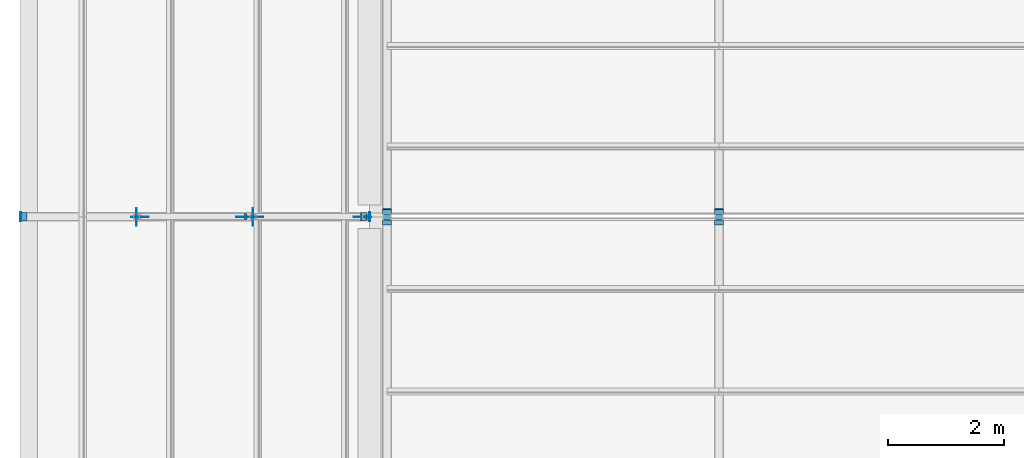
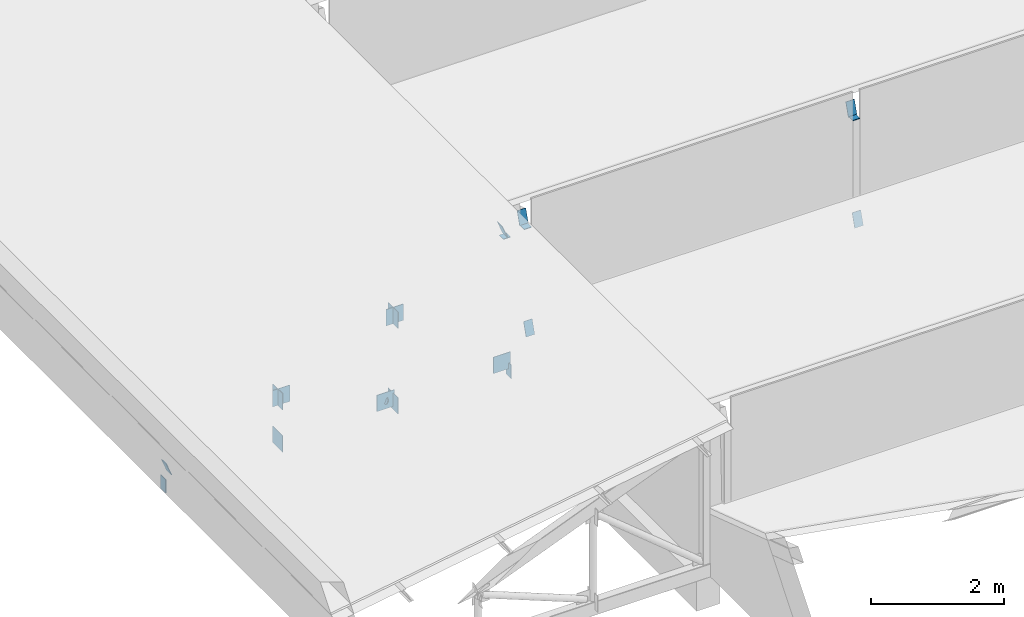
# One storey, part 79 of 118: 20 discrete accessories.
"""IFC4 building model written with IfcOpenShell, lengths in metres."""

from ifc_helpers import new_model, si_unit, direction, frame, origin, origin_2d, place, context, subcontext, project, spatial, rectangle, circle, extrude, material, material_profile, profile_set, type_object, element, save


model = new_model("IFC4")

# Units and contexts
model_context = context("Model", 3, precision=1e-05, world=origin(), true_north=direction((0.0, 1.0)))
body_context = subcontext(model_context, "Body", "Model", "MODEL_VIEW")
ifc_project = project(units=[si_unit("LENGTHUNIT", "METRE"), si_unit("AREAUNIT", "SQUARE_METRE"), si_unit("VOLUMEUNIT", "CUBIC_METRE"), si_unit("PLANEANGLEUNIT", "RADIAN"), si_unit("MASSUNIT", "GRAM", prefix="KILO")], contexts=[model_context])

# Site, building, storey
site_placement = place(None, origin())
site = spatial("IfcSite", under=ifc_project, at=site_placement, CompositionType="ELEMENT")
building_placement = place(site_placement, origin())
building = spatial("IfcBuilding", under=site, at=building_placement, Name="Saffron Lane Theatres", CompositionType="ELEMENT")
storey_placement = place(building_placement, frame((0.0, 0.0, 16.5)))
storey = spatial("IfcBuildingStorey", under=building, at=storey_placement, Name="L03", CompositionType="ELEMENT", Elevation=16.5)

# Discrete accessories
ifc_material_1 = material(Name="Steel Grade 350", Category="steel")
ifc_material_profile_1 = material_profile(ifc_material_1, rectangle(XDim=0.300048828125, YDim=0.300048828125, at=origin_2d()))
ifc_profile_set_1 = profile_set([ifc_material_profile_1], Name="Steel Grade 350")
discrete_accessory_type_1 = type_object("IfcDiscreteAccessoryType", Name="ST-GUSSET CONNECTION PLATE", PredefinedType="BRACKET", material=ifc_profile_set_1)
for number, where, z_axis, x_axis, name in (
    (1, (1.9951171875, 12.0, 0.25), (1.0, 0.0, 0.0), (0.0, 1.0, 0.0), "GB185"),
    (2, (1.9951171875, 12.0, 1.022216796875), (1.0, 0.0, 0.0), (0.0, 1.0, 0.0), "GB186"),
    (3, (3.9951171875, 12.0, 0.25), (1.0, 0.0, 0.0), (0.0, 1.0, 0.0), "GB187"),
    (4, (3.9951171875, 12.0, 1.8173828125), (1.0, 0.0, 0.0), (0.0, 1.0, 0.0), "GB188"),
    (5, (5.8837890625, 11.9951171875, 0.294189453125), (0.0, 1.0, 0.0), (-1.0, 0.0, 0.0), "GB189"),
    (6, (4.0244140625, 11.9951171875, 1.820068359375), (0.0, 1.0, 0.0), (-1.0, 0.0, 0.0), "GB190"),
    (7, (3.866455078125, 11.9951171875, 0.30322265625), (0.0, 1.0, 0.0), (-1.0, 0.0, 0.0), "GB191"),
    (8, (2.05615234375, 11.9951171875, 1.022705078125), (0.0, 1.0, 0.0), (-1.0, 0.0, 0.0), "GB192"),
):
    element("IfcDiscreteAccessory", number, at=place(storey_placement, frame(where, z_axis=z_axis, x_axis=x_axis)), inside=storey, type_object=discrete_accessory_type_1, Name=name, PredefinedType="BRACKET", context=body_context, shape_type="SweptSolid", body=[
        extrude(rectangle(XDim=0.300048828125, YDim=0.300048828125, at=origin_2d()), origin(), (0.0, 0.0, 1.0), 0.009765625),
    ])
ifc_material_2 = material(Name="Steel Grade 350", Category="steel")
ifc_material_profile_2 = material_profile(ifc_material_2, circle(Radius=0.05712890625, at=origin_2d()))
ifc_profile_set_2 = profile_set([ifc_material_profile_2], Name="Steel Grade 350")
discrete_accessory_type_2 = type_object("IfcDiscreteAccessoryType", Name="ST-STEEL END CAP 114.3x6.0 CHS", PredefinedType="ANCHORPLATE", material=ifc_profile_set_2)
discrete_accessory_placement = place(storey_placement, frame((3.87744140625, 12.0, 0.298583984375), z_axis=(-0.921249561411, 0.0, 0.38897203704), x_axis=(0.0, -1.0, 0.0)))
element("IfcDiscreteAccessory", 9, at=discrete_accessory_placement, inside=storey, type_object=discrete_accessory_type_2, Name="EC274", PredefinedType="ANCHORPLATE", context=body_context, shape_type="SweptSolid", body=[
    extrude(circle(Radius=0.05712890625, at=origin_2d()), origin(), (0.0, 0.0, 1.0), 0.011962890625),
])
ifc_material_3 = material(Name="Steel Grade 350", Category="steel")
ifc_material_profile_3 = material_profile(ifc_material_3, rectangle(XDim=0.125, YDim=0.125, at=origin_2d()))
ifc_profile_set_3 = profile_set([ifc_material_profile_3], Name="Steel Grade 350")
discrete_accessory_type_3 = type_object("IfcDiscreteAccessoryType", Name="ST-STEEL END CAP 125x125x6 SHS", PredefinedType="ANCHORPLATE", material=ifc_profile_set_3)
for number, where, z_axis, x_axis, name in (
    (10, (6.300048828125, 12.0, 2.638671875), (0.0, 0.0, 1.0), (1.0, 0.0, 0.0), "EC158"),
    (11, (12.0, 12.0, 2.638671875), (0.0, 0.0, 1.0), (1.0, 0.0, 0.0), "EC169"),
    (12, (5.9375, 12.0, 2.58544921875), (0.0, 0.0, 1.0), (1.0, 0.0, 0.0), "EC273"),
):
    element("IfcDiscreteAccessory", number, at=place(storey_placement, frame(where, z_axis=z_axis, x_axis=x_axis)), inside=storey, type_object=discrete_accessory_type_3, Name=name, PredefinedType="ANCHORPLATE", context=body_context, shape_type="SweptSolid", body=[
        extrude(rectangle(XDim=0.125, YDim=0.125, at=origin_2d()), origin(), (0.0, 0.0, 1.0), 0.011962890625),
    ])
ifc_material_4 = material(Name="Steel Grade 350", Category="steel")
ifc_material_profile_4 = material_profile(ifc_material_4, rectangle(XDim=0.14990234375, YDim=0.25, at=origin_2d()))
ifc_profile_set_4 = profile_set([ifc_material_profile_4], Name="Steel Grade 350")
discrete_accessory_type_4 = type_object("IfcDiscreteAccessoryType", Name="ST-STEEL END CAP 250x150x9 RHS", PredefinedType="ANCHORPLATE", material=ifc_profile_set_4)
for number, where, z_axis, x_axis, name in (
    (13, (6.300048828125, 11.8984375, 0.844482421875), (0.0, 0.950729839481, -0.310020599831), (-1.0, 0.0, 0.0), "EC157"),
    (14, (6.300048828125, 12.09033203125, 2.76123046875), (0.0, 0.950729839481, -0.310020599831), (-1.0, 0.0, 0.0), "EC160"),
    (15, (12.0, 11.8984375, 0.844482421875), (0.0, 0.950729839481, -0.310020599831), (-1.0, 0.0, 0.0), "EC168"),
    (16, (12.0, 12.09033203125, 2.76123046875), (0.0, 0.950729839481, -0.310020599831), (-1.0, 0.0, 0.0), "EC171"),
):
    element("IfcDiscreteAccessory", number, at=place(storey_placement, frame(where, z_axis=z_axis, x_axis=x_axis)), inside=storey, type_object=discrete_accessory_type_4, Name=name, PredefinedType="ANCHORPLATE", context=body_context, shape_type="SweptSolid", body=[
        extrude(rectangle(XDim=0.14990234375, YDim=0.25, at=origin_2d()), origin(), (0.0, 0.0, 1.0), 0.01171875),
    ])
for number, where, z_axis, x_axis, name in (
    (17, (0.008056640625, 12.0, 0.125), (1.0, 0.0, 0.0), (0.0, 1.0, 0.0), "EC269"),
    (18, (6.0, 12.0, 0.125), (1.0, 0.0, 0.0), (0.0, 1.0, 0.0), "EC270"),
    (19, (0.06494140625, 12.0, 0.410400390625), (0.931242779706, 0.0, 0.364399348581), (0.0, 1.0, 0.0), "EC271"),
    (20, (5.891357421875, 12.0, 2.726318359375), (0.931242779706, 0.0, 0.364399348581), (0.0, 1.0, 0.0), "EC272"),
):
    element("IfcDiscreteAccessory", number, at=place(storey_placement, frame(where, z_axis=z_axis, x_axis=x_axis)), inside=storey, type_object=discrete_accessory_type_4, Name=name, PredefinedType="ANCHORPLATE", context=body_context, shape_type="SweptSolid", body=[
        extrude(rectangle(XDim=0.14990234375, YDim=0.25, at=origin_2d()), origin(), (0.0, 0.0, 1.0), 0.011962890625),
    ])

save(model, "model.ifc")
